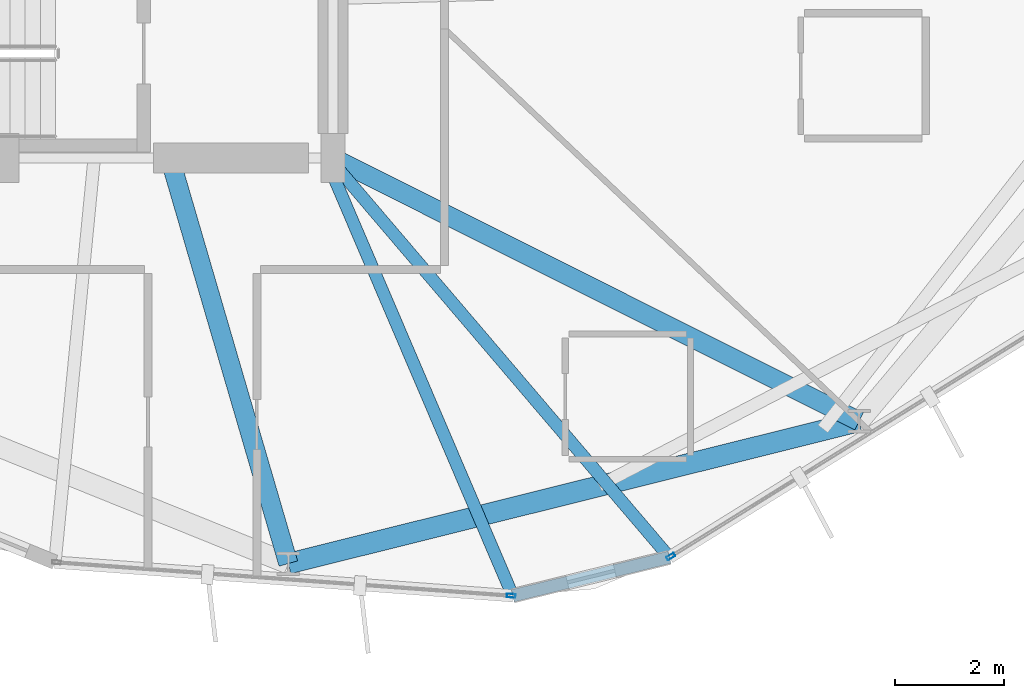
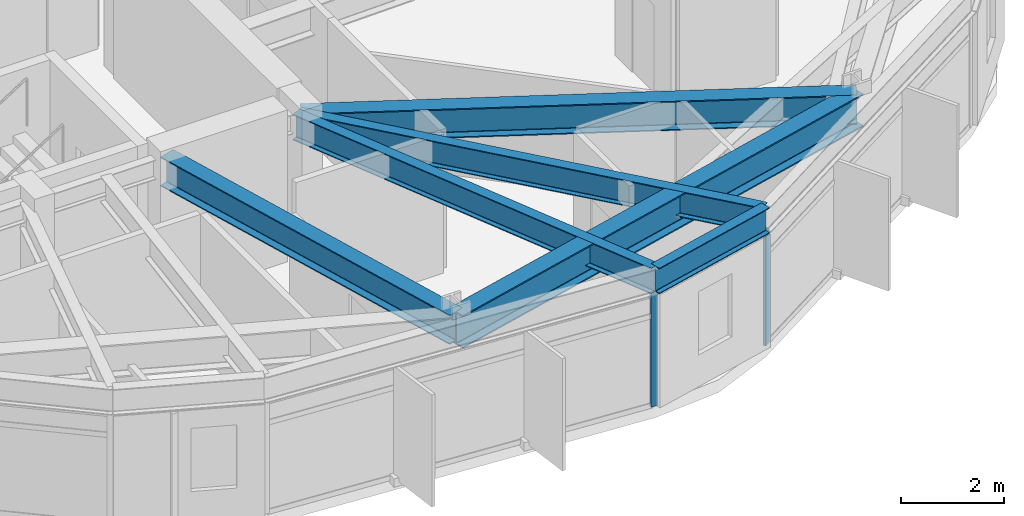
# One storey, part 4 of 21: 6 beams, 2 members, 2 elements without a shape of their own.
"""IFC4 building model written with IfcOpenShell, lengths in metres."""

from ifc_helpers import new_model, si_unit, direction, frame, origin, origin_2d, place, context, subcontext, project, spatial, hollow_rectangle, i_section, extrude, material, layer, layer_set, material_profile, profile_set, type_object, element, aggregate, save


model = new_model("IFC4")

# Units and contexts
model_context = context("Model", 3, precision=1e-05, world=origin(), true_north=direction((0.0, 1.0)))
body_context = subcontext(model_context, "Body", "Model", "MODEL_VIEW")
ifc_project = project(units=[si_unit("LENGTHUNIT", "METRE"), si_unit("AREAUNIT", "SQUARE_METRE"), si_unit("VOLUMEUNIT", "CUBIC_METRE"), si_unit("PLANEANGLEUNIT", "RADIAN"), si_unit("MASSUNIT", "GRAM", prefix="KILO")], contexts=[model_context])

# Site, building, storey
site_placement = place(None, origin())
site = spatial("IfcSite", under=ifc_project, at=site_placement, CompositionType="ELEMENT")
building_placement = place(site_placement, origin())
building = spatial("IfcBuilding", under=site, at=building_placement, Name="Soratama Intermodal Tower", CompositionType="ELEMENT")
storey_placement = place(building_placement, frame((0.0, 0.0, 153.39990234375)))
storey = spatial("IfcBuildingStorey", under=building, at=storey_placement, Name="L37", CompositionType="ELEMENT", Elevation=153.39990234375)

# Beams
ifc_material_1 = material(Name="Structural steel ASTM A992 Grade 50", Category="steel")
ifc_material_profile_1 = material_profile(ifc_material_1, i_section(OverallWidth=0.35498046875, OverallDepth=0.695068359375, WebThickness=0.015380859375, FlangeThickness=0.02490234375, FilletRadius=0.01611328125, at=origin_2d()), Name="W27X146")
ifc_profile_set_1 = profile_set([ifc_material_profile_1], Name="Structural steel ASTM A992 Grade 50")
beam_type_1 = type_object("IfcBeamType", Name="BM-RING-W27X146", PredefinedType="BEAM", material=ifc_profile_set_1)
beam_1_placement = place(storey_placement, frame((41.60009765625, 15.0, 2.95263671875), z_axis=(0.280473008484, -0.959861912731, 0.0), x_axis=(0.959861912731, 0.280473008484, 0.0)))
element("IfcBeam", 1, at=beam_1_placement, inside=storey, type_object=beam_type_1, Name="BM-L37-RAD-08", PredefinedType="BEAM", context=body_context, shape_type="SweptSolid", body=[
    extrude(i_section(OverallWidth=0.35498046875, OverallDepth=0.695068359375, WebThickness=0.015380859375, FlangeThickness=0.02490234375, FilletRadius=0.01611328125, at=origin_2d()), origin(), (0.0, 0.0, 1.0), 7.768798828125),
])
beam_2_placement = place(storey_placement, frame((44.60009765625, 15.0, 2.95263671875), z_axis=(0.894273669201, -0.447520507434, 0.0), x_axis=(0.447520507434, 0.894273669201, 0.0)))
element("IfcBeam", 2, at=beam_2_placement, inside=storey, type_object=beam_type_1, Name="BM-L37-RAD-09", PredefinedType="BEAM", context=body_context, shape_type="SweptSolid", body=[
    extrude(i_section(OverallWidth=0.35498046875, OverallDepth=0.695068359375, WebThickness=0.015380859375, FlangeThickness=0.02490234375, FilletRadius=0.01611328125, at=origin_2d()), origin(), (0.0, 0.0, 1.0), 10.817626953125),
])
ifc_material_2 = material(Name="Structural steel ASTM A992 Grade 50", Category="steel")
ifc_material_profile_2 = material_profile(ifc_material_2, i_section(OverallWidth=0.382080078125, OverallDepth=0.779052734375, WebThickness=0.01806640625, FlangeThickness=0.030029296875, FilletRadius=0.01806640625, at=origin_2d()), Name="W30X191")
ifc_profile_set_2 = profile_set([ifc_material_profile_2], Name="Structural steel ASTM A992 Grade 50")
beam_type_2 = type_object("IfcBeamType", Name="BM-RING-W30X191", PredefinedType="BEAM", material=ifc_profile_set_2)
beam_3_placement = place(storey_placement, frame((43.779052734375, 7.54296875, 2.91064453125), z_axis=(0.970310893227, 0.241861056155, 0.0), x_axis=(-0.241861056155, 0.970310893227, 0.0)))
element("IfcBeam", 3, at=beam_3_placement, inside=storey, type_object=beam_type_2, Name="BM-L37-RING-08", PredefinedType="BEAM", context=body_context, shape_type="SweptSolid", body=[
    extrude(i_section(OverallWidth=0.382080078125, OverallDepth=0.779052734375, WebThickness=0.01806640625, FlangeThickness=0.030029296875, FilletRadius=0.01806640625, at=origin_2d()), origin(), (0.0, 0.0, 1.0), 10.81591796875),
])
ifc_material_3 = material(Name="Structural steel ASTM A992 Grade 50", Category="steel")
ifc_material_profile_3 = material_profile(ifc_material_3, i_section(OverallWidth=0.22900390625, OverallDepth=0.612060546875, WebThickness=0.011962890625, FlangeThickness=0.01953125, FilletRadius=0.012939453125, at=origin_2d()), Name="W24X84")
ifc_profile_set_3 = profile_set([ifc_material_profile_3], Name="Structural steel ASTM A992 Grade 50")
beam_type_3 = type_object("IfcBeamType", Name="BM-SPN-W24X84", PredefinedType="SPANDREL", material=ifc_profile_set_3)
beam_4_placement = place(storey_placement, frame((47.906005859375, 6.949951171875, 2.994140625), z_axis=(0.97110765541, 0.238641827022, 0.0), x_axis=(-0.238641827022, 0.97110765541, 0.0)))
element("IfcBeam", 4, at=beam_4_placement, inside=storey, type_object=beam_type_3, Name="BS-L37-CRN07", PredefinedType="SPANDREL", context=body_context, shape_type="SweptSolid", body=[
    extrude(i_section(OverallWidth=0.22900390625, OverallDepth=0.612060546875, WebThickness=0.011962890625, FlangeThickness=0.01953125, FilletRadius=0.012939453125, at=origin_2d()), origin(), (0.0, 0.0, 1.0), 2.966796875),
])
ifc_material_4 = material(Name="Structural steel ASTM A992 Grade 50", Category="steel")
ifc_material_profile_4 = material_profile(ifc_material_4, i_section(OverallWidth=0.22900390625, OverallDepth=0.612060546875, WebThickness=0.011962890625, FlangeThickness=0.01953125, FilletRadius=0.012939453125, at=origin_2d()), Name="W24X84")
ifc_profile_set_4 = profile_set([ifc_material_profile_4], Name="Structural steel ASTM A992 Grade 50")
beam_type_4 = type_object("IfcBeamType", Name="BM-TIE-W24X84", PredefinedType="BEAM", material=ifc_profile_set_4)
beam_5_placement = place(storey_placement, frame((44.48095703125, 14.962890625, 2.994140625), z_axis=(0.393039987755, -0.919521379863, 0.0), x_axis=(0.919521379863, 0.393039987755, 0.0)))
element("IfcBeam", 5, at=beam_5_placement, inside=storey, type_object=beam_type_4, Name="BM-L37-TIE1-07", PredefinedType="BEAM", context=body_context, shape_type="SweptSolid", body=[
    extrude(i_section(OverallWidth=0.22900390625, OverallDepth=0.612060546875, WebThickness=0.011962890625, FlangeThickness=0.01953125, FilletRadius=0.012939453125, at=origin_2d()), origin(), (0.0, 0.0, 1.0), 8.71435546875),
])
beam_6_placement = place(storey_placement, frame((44.552001953125, 14.969970703125, 2.994140625), z_axis=(0.648849708558, -0.76091658919, 0.0), x_axis=(0.76091658919, 0.648849708558, 0.0)))
element("IfcBeam", 6, at=beam_6_placement, inside=storey, type_object=beam_type_4, Name="BM-L37-TIE0-08", PredefinedType="BEAM", context=body_context, shape_type="SweptSolid", body=[
    extrude(i_section(OverallWidth=0.22900390625, OverallDepth=0.612060546875, WebThickness=0.011962890625, FlangeThickness=0.01953125, FilletRadius=0.012939453125, at=origin_2d()), origin(), (0.0, 0.0, 1.0), 9.609375),
])

# Curtain wall, member
ifc_material_5 = material(Name="Double-glazed aluminium curtain wall", Category="aluminium")
ifc_layer = layer(ifc_material_5, 0.159912109375)
ifc_layer_set = layer_set([ifc_layer], Name="Double-glazed aluminium curtain wall")
curtain_wall_type = type_object("IfcCurtainWallType", Name="CW-SYS-4", PredefinedType="NOTDEFINED", material=ifc_layer_set)
curtain_wall_1_placement = place(storey_placement, origin())
curtain_wall_1 = element("IfcCurtainWall", 7, at=curtain_wall_1_placement, inside=storey, type_object=curtain_wall_type, Name="L37 Faceted Curtain Wall F07", PredefinedType="NOTDEFINED")
ifc_material_6 = material(Name="Anodised aluminium AA 6063-T6", Category="aluminium")
ifc_material_profile_5 = material_profile(ifc_material_6, hollow_rectangle(XDim=0.070068359375, YDim=0.159912109375, WallThickness=0.0048828125, InnerFilletRadius=0.0048828125, OuterFilletRadius=0.010009765625, at=origin_2d()), Name="CWM160X70X5")
ifc_profile_set_5 = profile_set([ifc_material_profile_5], Name="Anodised aluminium AA 6063-T6")
member_type = type_object("IfcMemberType", Name="MT-CWM-4", PredefinedType="MULLION", material=ifc_profile_set_5)
member_1_placement = place(storey_placement, frame((47.876220703125, 6.952392578125, 0.0), z_axis=(0.0, 0.0, 1.0), x_axis=(0.073242369794, 0.997314170794, 0.0)))
member_1 = element("IfcMember", 8, at=member_1_placement, type_object=member_type, Name="CW-4 mullion 2", PredefinedType="MULLION", context=body_context, shape_type="SweptSolid", body=[
    extrude(hollow_rectangle(XDim=0.070068359375, YDim=0.159912109375, WallThickness=0.0048828125, InnerFilletRadius=0.0048828125, OuterFilletRadius=0.010009765625, at=origin_2d()), origin(), (0.0, 0.0, 1.0), 2.67919921875),
])
aggregate(curtain_wall_1, [member_1])

curtain_wall_2_placement = place(storey_placement, origin())
curtain_wall_2 = element("IfcCurtainWall", 9, at=curtain_wall_2_placement, inside=storey, type_object=curtain_wall_type, Name="L37 Faceted Curtain Wall F08", PredefinedType="NOTDEFINED")
member_2_placement = place(storey_placement, frame((50.8125, 7.673583984375, 0.0), z_axis=(0.0, 0.0, 1.0), x_axis=(-0.526959352028, 0.849890487833, 0.0)))
member_2 = element("IfcMember", 10, at=member_2_placement, type_object=member_type, Name="CW-4 mullion 1", PredefinedType="MULLION", context=body_context, shape_type="SweptSolid", body=[
    extrude(hollow_rectangle(XDim=0.070068359375, YDim=0.159912109375, WallThickness=0.0048828125, InnerFilletRadius=0.0048828125, OuterFilletRadius=0.010009765625, at=origin_2d()), origin(), (0.0, 0.0, 1.0), 2.67919921875),
])
aggregate(curtain_wall_2, [member_2])

save(model, "model.ifc")
